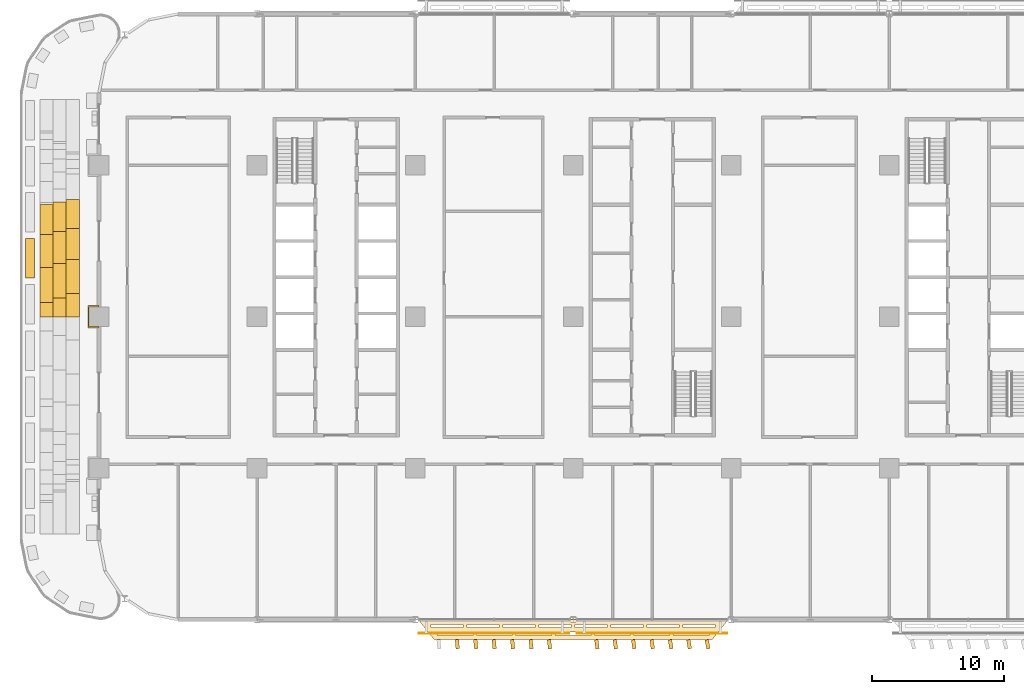
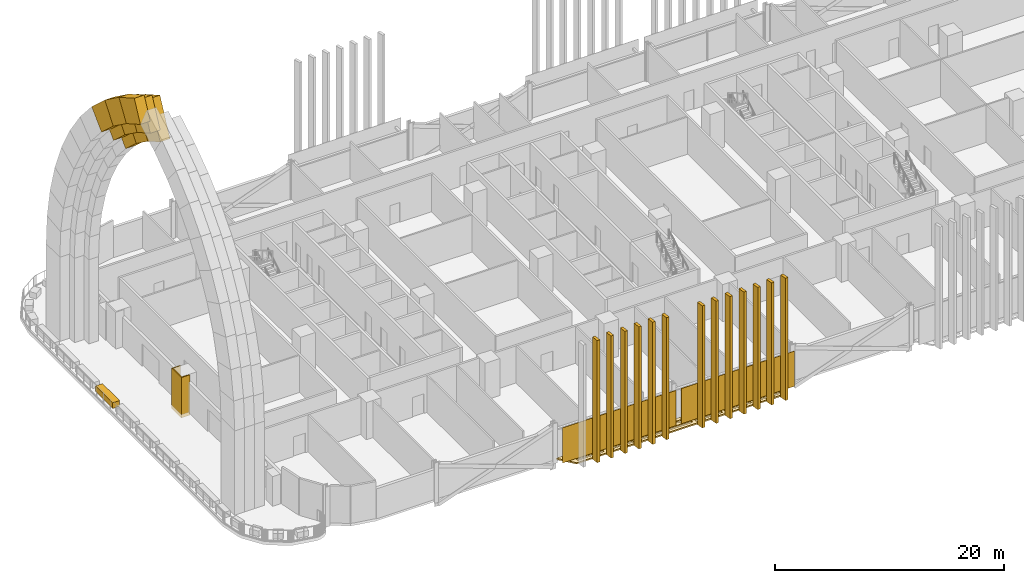
# One storey, part 23 of 29: 27 coverings.
"""IFC4 building model written with IfcOpenShell, lengths in metres."""

from ifc_helpers import new_model, si_unit, direction, frame, origin, origin_2d, place, context, subcontext, project, spatial, polyline, rectangle, outline, extrude, material, layer, layer_set, type_object, element, save


model = new_model("IFC4")

# Units and contexts
model_context = context("Model", 3, precision=1e-05, world=origin(), true_north=direction((0.0, 1.0)))
body_context = subcontext(model_context, "Body", "Model", "MODEL_VIEW")
ifc_project = project(units=[si_unit("LENGTHUNIT", "METRE"), si_unit("AREAUNIT", "SQUARE_METRE"), si_unit("VOLUMEUNIT", "CUBIC_METRE"), si_unit("PLANEANGLEUNIT", "RADIAN"), si_unit("MASSUNIT", "GRAM", prefix="KILO")], contexts=[model_context])

# Site, building, storey
site_placement = place(None, origin())
site = spatial("IfcSite", under=ifc_project, at=site_placement, CompositionType="ELEMENT")
building_placement = place(site_placement, origin())
building = spatial("IfcBuilding", under=site, at=building_placement, Name="Mahtab Terrace Research Tower", CompositionType="ELEMENT")
storey_placement = place(building_placement, frame((0.0, 0.0, 46.0)))
storey = spatial("IfcBuildingStorey", under=building, at=storey_placement, Name="L10", CompositionType="ELEMENT", Elevation=46.0)

# Coverings
ifc_material_1 = material(Name="Dark anodised aluminium cladding", Category="aluminium")
ifc_layer_1 = layer(ifc_material_1, 0.10009765625)
ifc_layer_set_1 = layer_set([ifc_layer_1], Name="Column casing 100")
covering_type_1 = type_object("IfcCoveringType", Name="Column casing 100", PredefinedType="CLADDING", material=ifc_layer_set_1)
covering_1_placement = place(storey_placement, frame((0.0, 0.0, -0.340087890625)))
element("IfcCovering", 1, at=covering_1_placement, inside=storey, type_object=covering_type_1, Name="Column casing RC-1B L10", PredefinedType="CLADDING", context=body_context, shape_type="SweptSolid", body=[
    extrude(outline(polyline([(-42.85009765625, 0.85009765625), (-42.0, 0.85009765625), (-42.0, 0.75), (-42.75, 0.75), (-42.75, -0.75), (-42.0, -0.75), (-42.0, -0.85009765625), (-42.85009765625, -0.85009765625), (-42.85009765625, 0.85009765625)])), origin(), (0.0, 0.0, 1.0), 4.300048828125),
])
ifc_material_2 = material(Name="Black anodised aluminium", Category="aluminium")
ifc_layer_2 = layer(ifc_material_2, 0.14990234375)
ifc_layer_set_2 = layer_set([ifc_layer_2], Name="Horizontal sunshade band")
covering_type_2 = type_object("IfcCoveringType", Name="Horizontal sunshade band", PredefinedType="CLADDING", material=ifc_layer_set_2)
covering_2_placement = place(storey_placement, frame((0.0, 0.0, -0.14990234375)))
element("IfcCovering", 2, at=covering_2_placement, inside=storey, type_object=covering_type_2, Name="Sunshade band L10 25", PredefinedType="CLADDING", context=body_context, shape_type="SweptSolid", body=[
    extrude(outline(polyline([(-17.761962890625, -23.0), (5.761962890625, -23.0), (4.56201171875, -24.5), (-16.56201171875, -24.5), (-17.761962890625, -23.0)]), holes=[polyline([(-16.781982421875, -23.35009765625), (-14.34912109375, -23.35009765625), (-14.34912109375, -23.60009765625), (-16.781982421875, -23.60009765625), (-16.781982421875, -23.35009765625)]), polyline([(-14.049072265625, -23.35009765625), (-11.615966796875, -23.35009765625), (-11.615966796875, -23.60009765625), (-14.049072265625, -23.60009765625), (-14.049072265625, -23.35009765625)]), polyline([(-11.31591796875, -23.35009765625), (-8.883056640625, -23.35009765625), (-8.883056640625, -23.60009765625), (-11.31591796875, -23.60009765625), (-11.31591796875, -23.35009765625)]), polyline([(-8.5830078125, -23.35009765625), (-6.14990234375, -23.35009765625), (-6.14990234375, -23.60009765625), (-8.5830078125, -23.60009765625), (-8.5830078125, -23.35009765625)]), polyline([(-5.85009765625, -23.35009765625), (-3.4169921875, -23.35009765625), (-3.4169921875, -23.60009765625), (-5.85009765625, -23.60009765625), (-5.85009765625, -23.35009765625)]), polyline([(-3.116943359375, -23.35009765625), (-0.68408203125, -23.35009765625), (-0.68408203125, -23.60009765625), (-3.116943359375, -23.60009765625), (-3.116943359375, -23.35009765625)]), polyline([(-0.384033203125, -23.35009765625), (2.049072265625, -23.35009765625), (2.049072265625, -23.60009765625), (-0.384033203125, -23.60009765625), (-0.384033203125, -23.35009765625)]), polyline([(2.34912109375, -23.35009765625), (4.781982421875, -23.35009765625), (4.781982421875, -23.60009765625), (2.34912109375, -23.60009765625), (2.34912109375, -23.35009765625)]), polyline([(-16.302001953125, -23.949951171875), (-13.615966796875, -23.949951171875), (-13.615966796875, -24.199951171875), (-16.302001953125, -24.199951171875), (-16.302001953125, -23.949951171875)]), polyline([(-13.31591796875, -23.949951171875), (-10.62890625, -23.949951171875), (-10.62890625, -24.199951171875), (-13.31591796875, -24.199951171875), (-13.31591796875, -23.949951171875)]), polyline([(-10.3291015625, -23.949951171875), (-7.64306640625, -23.949951171875), (-7.64306640625, -24.199951171875), (-10.3291015625, -24.199951171875), (-10.3291015625, -23.949951171875)]), polyline([(-7.343017578125, -23.949951171875), (-4.656982421875, -23.949951171875), (-4.656982421875, -24.199951171875), (-7.343017578125, -24.199951171875), (-7.343017578125, -23.949951171875)]), polyline([(-4.35693359375, -23.949951171875), (-1.6708984375, -23.949951171875), (-1.6708984375, -24.199951171875), (-4.35693359375, -24.199951171875), (-4.35693359375, -23.949951171875)]), polyline([(-1.37109375, -23.949951171875), (1.31591796875, -23.949951171875), (1.31591796875, -24.199951171875), (-1.37109375, -24.199951171875), (-1.37109375, -23.949951171875)]), polyline([(1.615966796875, -23.949951171875), (4.302001953125, -23.949951171875), (4.302001953125, -24.199951171875), (1.615966796875, -24.199951171875), (1.615966796875, -23.949951171875)])]), origin(), (0.0, 0.0, 1.0), 0.14990234375),
])
ifc_material_3 = material(Name="Glazed ceramic tile cladding", Category="masonry")
ifc_layer_3 = layer(ifc_material_3, 1.0)
ifc_layer_set_3 = layer_set([ifc_layer_3], Name="Iwan portal cladding arch course 800")
covering_type_3 = type_object("IfcCoveringType", Name="Iwan portal cladding arch course 800", PredefinedType="CLADDING", material=ifc_layer_set_3)
covering_3_placement = place(storey_placement, frame((-43.5, 8.89208984375, 27.614013671875), z_axis=(1.0, 0.0, 0.0), x_axis=(0.0, -0.739819819985, 0.672805048998)))
element("IfcCovering", 3, at=covering_3_placement, inside=storey, type_object=covering_type_3, Name="Iwan portal arch course 1.1.1W8", PredefinedType="CLADDING", context=body_context, shape_type="SweptSolid", body=[
    extrude(outline(polyline([(0.0, 0.0), (2.939971016413362, 0.0), (2.71948886950093, 3.9937911397832875), (0.22217448948662866, 3.994740667354298), (0.0, 0.0)])), origin(), (0.0, 0.0, -1.0), 1.0),
])
covering_4_placement = place(storey_placement, frame((-43.5, 6.717041015625, 29.592041015625), z_axis=(1.0, 0.0, 0.0), x_axis=(0.0, -0.809761272572, 0.586759474949)))
element("IfcCovering", 4, at=covering_4_placement, inside=storey, type_object=covering_type_3, Name="Iwan portal arch course 1.1.1W9", PredefinedType="CLADDING", context=body_context, shape_type="SweptSolid", body=[
    extrude(outline(polyline([(0.0, 0.0), (2.941706597747884, 0.0), (2.719225227724443, 3.9931159090194077), (0.22304665752895247, 3.9936487369176286), (0.0, 0.0)])), origin(), (0.0, 0.0, -1.0), 1.0),
])
covering_5_placement = place(storey_placement, frame((-43.5, 4.3349609375, 31.318115234375), z_axis=(1.0, 0.0, 0.0), x_axis=(0.0, -0.869726379364, 0.493534218711)))
element("IfcCovering", 5, at=covering_5_placement, inside=storey, type_object=covering_type_3, Name="Iwan portal arch course 1.1.1W10", PredefinedType="CLADDING", context=body_context, shape_type="SweptSolid", body=[
    extrude(outline(polyline([(0.0, 0.0), (2.9398726154484622, 0.0), (2.7179754052691596, 3.9937778462929474), (0.22082470585125602, 3.9932078673864586), (0.0, 0.0)])), origin(), (0.0, 0.0, -1.0), 1.0),
])
covering_6_placement = place(storey_placement, frame((-44.5, 8.7080078125, 28.06201171875), z_axis=(1.0, 0.0, 0.0), x_axis=(0.0, -0.739672289455, 0.672967238587)))
element("IfcCovering", 6, at=covering_6_placement, inside=storey, type_object=covering_type_3, Name="Iwan portal arch course 1.1.2W8", PredefinedType="CLADDING", context=body_context, shape_type="SweptSolid", body=[
    extrude(outline(polyline([(0.0, 0.0), (3.0121817127832706, 0.0), (2.833808021612957, 3.1948130005403828), (0.17712800549936736, 3.1947902642836166), (0.0, 0.0)])), origin(), (0.0, 0.0, -1.0), 1.0),
])
covering_7_placement = place(storey_placement, frame((-44.5, 6.47998046875, 30.089111328125), z_axis=(1.0, 0.0, 0.0), x_axis=(0.0, -0.809720248483, 0.586816086348)))
element("IfcCovering", 7, at=covering_7_placement, inside=storey, type_object=covering_type_3, Name="Iwan portal arch course 1.1.2W9", PredefinedType="CLADDING", context=body_context, shape_type="SweptSolid", body=[
    extrude(outline(polyline([(0.0, 0.0), (3.010901957580752, 2.220446049250313e-16), (2.8334189639324383, 3.1946441970180457), (0.176914345633435, 3.19489414479301), (0.0, 0.0)])), origin(), (0.0, 0.0, -1.0), 1.0),
])
covering_8_placement = place(storey_placement, frame((-44.5, 4.0419921875, 31.85595703125), z_axis=(1.0, 0.0, 0.0), x_axis=(0.0, -0.869810024053, 0.493386787477)))
element("IfcCovering", 8, at=covering_8_placement, inside=storey, type_object=covering_type_3, Name="Iwan portal arch course 1.1.2W10", PredefinedType="CLADDING", context=body_context, shape_type="SweptSolid", body=[
    extrude(outline(polyline([(0.0, 0.0), (3.0120060408900198, 0.0), (2.834949373878689, 3.194501442727609), (0.17794040502189357, 3.194618752032249), (0.0, 0.0)])), origin(), (0.0, 0.0, -1.0), 1.0),
])
covering_9_placement = place(storey_placement, frame((-45.5, 8.52392578125, 28.510986328125), z_axis=(1.0, 0.0, 0.0), x_axis=(0.0, -0.739742912471, 0.672889607179)))
element("IfcCovering", 9, at=covering_9_placement, inside=storey, type_object=covering_type_3, Name="Iwan portal arch course 1.1.3W8", PredefinedType="CLADDING", context=body_context, shape_type="SweptSolid", body=[
    extrude(outline(polyline([(0.0, 0.0), (3.082191472790179, 2.220446049250313e-16), (2.9491389254955855, 2.3961444451978937), (0.1331097115984694, 2.3963374037310734), (0.0, 0.0)])), origin(), (0.0, 0.0, -1.0), 1.0),
])
covering_10_placement = place(storey_placement, frame((-45.5, 6.243896484375, 30.5849609375), z_axis=(1.0, 0.0, 0.0), x_axis=(0.0, -0.809673481682, 0.586880612273)))
element("IfcCovering", 10, at=covering_10_placement, inside=storey, type_object=covering_type_3, Name="Iwan portal arch course 1.1.3W9", PredefinedType="CLADDING", context=body_context, shape_type="SweptSolid", body=[
    extrude(outline(polyline([(0.0, 0.0), (3.0825384131278826, 0.0), (2.9492080325266565, 2.3958020544517256), (0.13297041750639083, 2.3961490042696583), (0.0, 0.0)])), origin(), (0.0, 0.0, -1.0), 1.0),
])
covering_11_placement = place(storey_placement, frame((-45.5, 3.748046875, 32.39404296875), z_axis=(1.0, 0.0, 0.0), x_axis=(0.0, -0.869652837686, 0.493663794403)))
element("IfcCovering", 11, at=covering_11_placement, inside=storey, type_object=covering_type_3, Name="Iwan portal arch course 1.1.3W10", PredefinedType="CLADDING", context=body_context, shape_type="SweptSolid", body=[
    extrude(outline(polyline([(0.0, 0.0), (3.083014540473139, 0.0), (2.9495134484746792, 2.3963558765150306), (0.13264629234393233, 2.3958400271374103), (0.0, 0.0)])), origin(), (0.0, 0.0, -1.0), 1.0),
])
ifc_material_4 = material(Name="Planting soil and shrubs")
ifc_layer_4 = layer(ifc_material_4, 0.1201171875)
ifc_layer_set_4 = layer_set([ifc_layer_4], Name="Planter")
covering_type_4 = type_object("IfcCoveringType", Name="Planter", PredefinedType="USERDEFINED", material=ifc_layer_set_4)
covering_12_placement = place(storey_placement, frame((-47.25, 4.43408203125, 0.030029296875), z_axis=(0.0, 0.0, 1.0), x_axis=(0.0, -1.0, 0.0)))
element("IfcCovering", 12, at=covering_12_placement, inside=storey, type_object=covering_type_4, Name="PLANTER terrace 1", ObjectType="PLANTER", PredefinedType="USERDEFINED", context=body_context, shape_type="SweptSolid", body=[
    extrude(rectangle(XDim=3.0, YDim=0.699951171875, at=origin_2d()), origin(), (0.0, 0.0, 1.0), 0.60009765625),
])
ifc_material_5 = material(Name="Bronze anodised aluminium", Category="aluminium")
ifc_layer_5 = layer(ifc_material_5, 0.050048828125)
ifc_layer_set_5 = layer_set([ifc_layer_5], Name="Sky lounge girih screen panel")
covering_type_5 = type_object("IfcCoveringType", Name="Sky lounge girih screen panel", PredefinedType="CLADDING", material=ifc_layer_set_5)
for number, where, z_axis, x_axis, name in (
    (13, (-12.0, -24.02490234375, 0.10009765625), (0.0, 0.0, 1.0), (1.0, 0.0, 0.0), "Girih screen L10 S26"),
    (14, (0.0, -24.02490234375, 0.10009765625), (0.0, 0.0, 1.0), (1.0, 0.0, 0.0), "Girih screen L10 S27"),
):
    element("IfcCovering", number, at=place(storey_placement, frame(where, z_axis=z_axis, x_axis=x_axis)), inside=storey, type_object=covering_type_5, Name=name, PredefinedType="CLADDING", context=body_context, shape_type="SweptSolid", body=[
        extrude(rectangle(XDim=11.424072265625, YDim=0.050048828125, at=origin_2d()), origin(), (0.0, 0.0, 1.0), 3.760009765625),
    ])
ifc_layer_6 = layer(ifc_material_5, 0.1201171875)
ifc_layer_set_6 = layer_set([ifc_layer_6], Name="Vertical fin 700")
covering_type_6 = type_object("IfcCoveringType", Name="Vertical fin 700", PredefinedType="CLADDING", material=ifc_layer_set_6)
for number, where, z_axis, x_axis, name in (
    (15, (-14.800048828125, -24.86083984375, -0.14990234375), (0.0, 0.0, 1.0), (0.996121918106, 0.087983659104, 0.0), "Fin L10 S2"),
    (16, (-13.39990234375, -24.861572265625, -0.14990234375), (0.0, 0.0, 1.0), (0.995593195301, 0.093777339855, 0.0), "Fin L10 S3"),
    (17, (-12.0, -24.8623046875, -0.14990234375), (0.0, 0.0, 1.0), (0.995030775366, 0.099567846591, 0.0), "Fin L10 S4"),
    (18, (-10.60009765625, -24.86279296875, -0.14990234375), (0.0, 0.0, 1.0), (0.994434677334, 0.105354983343, 0.0), "Fin L10 S5"),
    (19, (-9.199951171875, -24.86328125, -0.14990234375), (0.0, 0.0, 1.0), (0.993804921385, 0.111138554202, 0.0), "Fin L10 S6"),
    (20, (-7.800048828125, -24.864013671875, -0.14990234375), (0.0, 0.0, 1.0), (0.993141528832, 0.116918363435, 0.0), "Fin L10 S7"),
    (21, (-4.199951171875, -24.865478515625, -0.14990234375), (0.0, 0.0, 1.0), (0.991281368707, 0.131762088833, 0.0), "Fin L10 S1"),
    (22, (-2.800048828125, -24.865966796875, -0.14990234375), (0.0, 0.0, 1.0), (0.990498036675, 0.137526867716, 0.0), "Fin L10 S2"),
    (23, (-1.39990234375, -24.866455078125, -0.14990234375), (0.0, 0.0, 1.0), (0.989681179966, 0.143286991809, 0.0), "Fin L10 S3"),
    (24, (0.0, -24.866943359375, -0.14990234375), (0.0, 0.0, 1.0), (0.988830826226, 0.149042266169, 0.0), "Fin L10 S4"),
    (25, (1.39990234375, -24.867431640625, -0.14990234375), (0.0, 0.0, 1.0), (0.987947004235, 0.154792496019, 0.0), "Fin L10 S5"),
    (26, (2.800048828125, -24.867919921875, -0.14990234375), (0.0, 0.0, 1.0), (0.98702974391, 0.160537486702, 0.0), "Fin L10 S6"),
    (27, (4.199951171875, -24.868408203125, -0.14990234375), (0.0, 0.0, 1.0), (0.986079076296, 0.166277043787, 0.0), "Fin L10 S7"),
):
    element("IfcCovering", number, at=place(storey_placement, frame(where, z_axis=z_axis, x_axis=x_axis)), inside=storey, type_object=covering_type_6, Name=name, PredefinedType="CLADDING", context=body_context, shape_type="SweptSolid", body=[
        extrude(rectangle(XDim=0.280029296875, YDim=0.699951171875, at=origin_2d()), origin(), (0.0, 0.0, 1.0), 13.050048828125),
    ])

save(model, "model.ifc")
